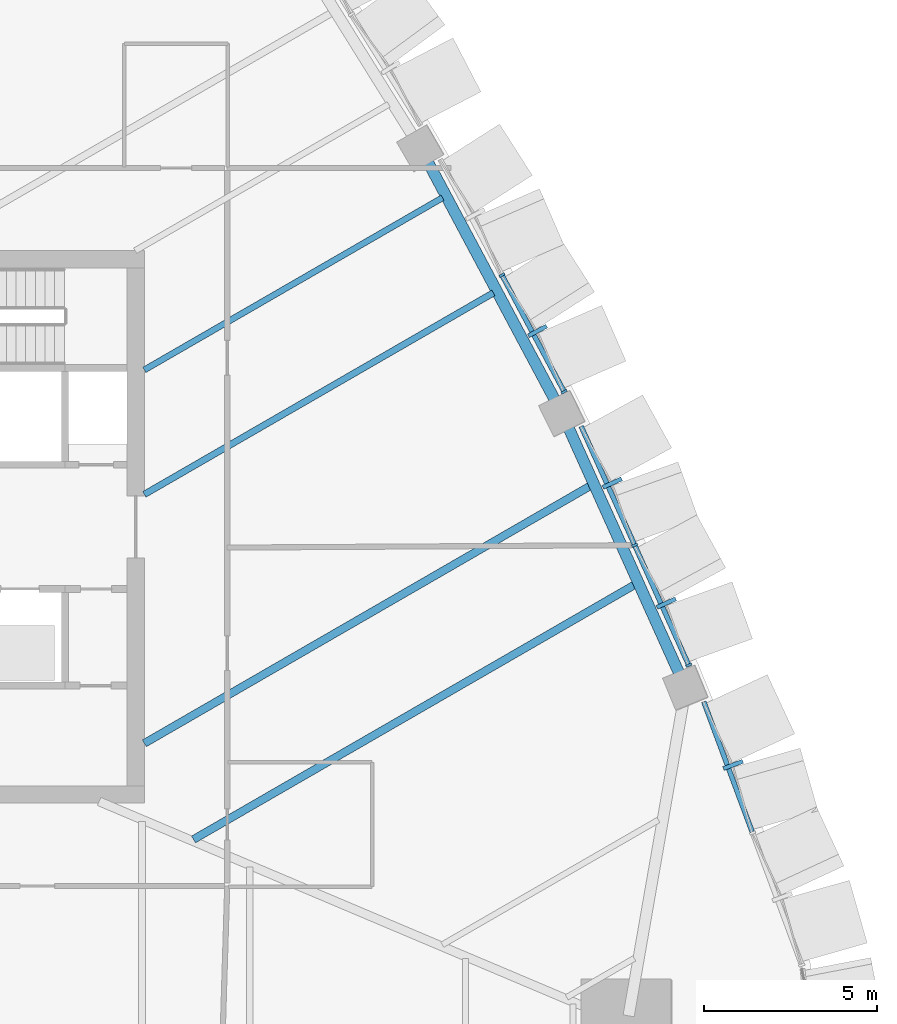
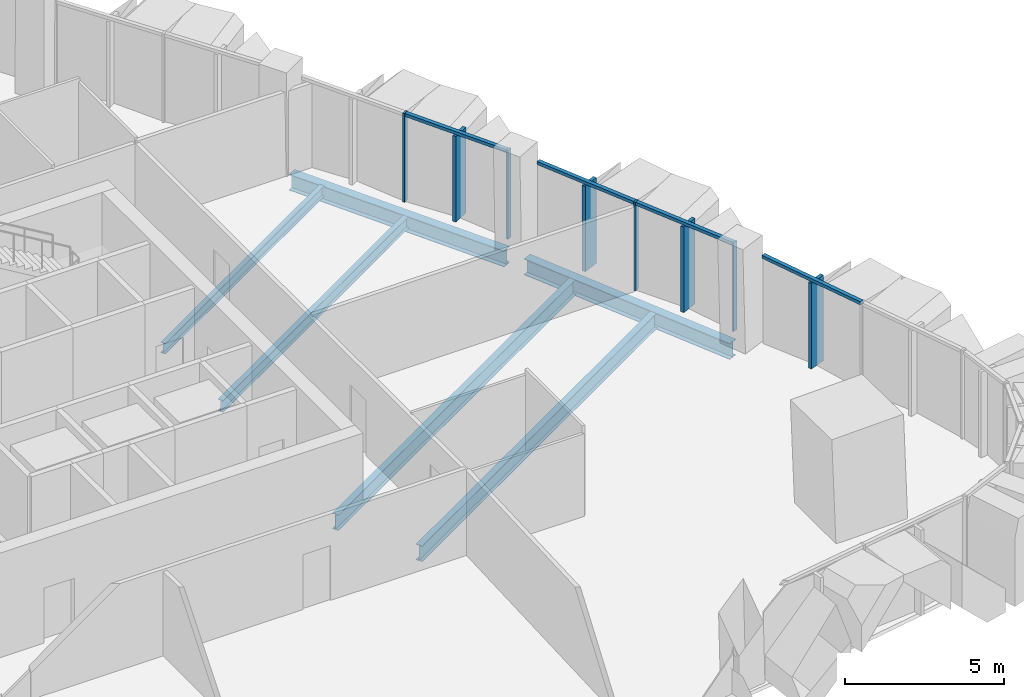
# One storey, part 5 of 18: 12 members, 6 beams, 3 elements without a shape of their own.
"""IFC4 building model written with IfcOpenShell, lengths in metres."""

from ifc_helpers import new_model, si_unit, direction, frame, origin, origin_2d, place, context, subcontext, project, spatial, rectangle, i_section, extrude, material, layer, layer_set, material_profile, profile_set, type_object, element, aggregate, save


model = new_model("IFC4")

# Units and contexts
model_context = context("Model", 3, precision=1e-05, world=origin(), true_north=direction((0.0, 1.0)))
body_context = subcontext(model_context, "Body", "Model", "MODEL_VIEW")
ifc_project = project(units=[si_unit("LENGTHUNIT", "METRE"), si_unit("AREAUNIT", "SQUARE_METRE"), si_unit("VOLUMEUNIT", "CUBIC_METRE"), si_unit("PLANEANGLEUNIT", "RADIAN"), si_unit("MASSUNIT", "GRAM", prefix="KILO")], contexts=[model_context])

# Site, building, storey
site_placement = place(None, origin())
site = spatial("IfcSite", under=ifc_project, at=site_placement, CompositionType="ELEMENT")
building_placement = place(site_placement, origin())
building = spatial("IfcBuilding", under=site, at=building_placement, Name="Sierra Prisma Convention Tower", CompositionType="ELEMENT")
storey_placement = place(building_placement, frame((0.0, 0.0, 129.800048828125)))
storey = spatial("IfcBuildingStorey", under=building, at=storey_placement, Name="L27", CompositionType="ELEMENT", Elevation=129.800048828125)

# Curtain wall, member
ifc_material_1 = material(Name="Aluminium and glass curtain wall", Category="aluminium")
ifc_layer = layer(ifc_material_1, 0.179931640625)
ifc_layer_set = layer_set([ifc_layer], Name="CW-2 Faceted crystal curtain wall")
curtain_wall_type = type_object("IfcCurtainWallType", Name="CW-2 Faceted crystal curtain wall", PredefinedType="NOTDEFINED", material=ifc_layer_set)
curtain_wall_1_placement = place(storey_placement, origin())
curtain_wall_1 = element("IfcCurtainWall", 1, at=curtain_wall_1_placement, inside=storey, type_object=curtain_wall_type, Name="CW-2 NE1 L27", PredefinedType="NOTDEFINED")
ifc_material_2 = material(Name="Aluminium 6063-T6 bronze anodised", Category="aluminium")
ifc_material_profile_1 = material_profile(ifc_material_2, rectangle(XDim=0.1201171875, YDim=0.60009765625, at=origin_2d()), Name="ALU RIDGE BLADE 120x600")
ifc_profile_set_1 = profile_set([ifc_material_profile_1], Name="Aluminium 6063-T6 bronze anodised")
member_type_1 = type_object("IfcMemberType", Name="CW hip bronze", PredefinedType="MULLION", material=ifc_profile_set_1)
member_1_placement = place(storey_placement, frame((28.05517578125, -6.895751953125, 0.0), z_axis=(0.0, 0.0, 1.0), x_axis=(-0.348828543352, 0.937186559519, 0.0)))
member_1 = element("IfcMember", 2, at=member_1_placement, type_object=member_type_1, Name="CW-2 ridge NE1.2", PredefinedType="MULLION", context=body_context, shape_type="SweptSolid", body=[
    extrude(rectangle(XDim=0.1201171875, YDim=0.60009765625, at=origin_2d()), origin(), (0.0, 0.0, 1.0), 3.280029296875),
])

# Curtain wall, members
curtain_wall_2_placement = place(storey_placement, origin())
curtain_wall_2 = element("IfcCurtainWall", 3, at=curtain_wall_2_placement, inside=storey, type_object=curtain_wall_type, Name="CW-2 NE2 L27", PredefinedType="NOTDEFINED")
member_2_placement = place(storey_placement, frame((26.12109375, -2.2080078125, 0.0), z_axis=(0.0, 0.0, 1.0), x_axis=(-0.410709435067, 0.911766285814, 0.0)))
member_2 = element("IfcMember", 4, at=member_2_placement, type_object=member_type_1, Name="CW-2 ridge NE2.1", PredefinedType="MULLION", context=body_context, shape_type="SweptSolid", body=[
    extrude(rectangle(XDim=0.1201171875, YDim=0.60009765625, at=origin_2d()), origin(), (0.0, 0.0, 1.0), 3.280029296875),
])
member_3_placement = place(storey_placement, frame((24.55517578125, 1.268310546875, 0.0), z_axis=(0.0, 0.0, 1.0), x_axis=(-0.410709435067, 0.911766285814, 0.0)))
member_3 = element("IfcMember", 5, at=member_3_placement, type_object=member_type_1, Name="CW-2 ridge NE2.2", PredefinedType="MULLION", context=body_context, shape_type="SweptSolid", body=[
    extrude(rectangle(XDim=0.1201171875, YDim=0.60009765625, at=origin_2d()), origin(), (0.0, 0.0, 1.0), 3.280029296875),
])

# Curtain wall, member
curtain_wall_3_placement = place(storey_placement, origin())
curtain_wall_3 = element("IfcCurtainWall", 6, at=curtain_wall_3_placement, inside=storey, type_object=curtain_wall_type, Name="CW-2 NE3 L27", PredefinedType="NOTDEFINED")
member_4_placement = place(storey_placement, frame((22.3896484375, 5.675537109375, 0.0), z_axis=(0.0, 0.0, 1.0), x_axis=(-0.47075222337, 0.882265461294, 0.0)))
member_4 = element("IfcMember", 7, at=member_4_placement, type_object=member_type_1, Name="CW-2 ridge NE3.1", PredefinedType="MULLION", context=body_context, shape_type="SweptSolid", body=[
    extrude(rectangle(XDim=0.1201171875, YDim=0.60009765625, at=origin_2d()), origin(), (0.0, 0.0, 1.0), 3.280029296875),
])

# Member
ifc_material_3 = material(Name="Aluminium 6063-T6 bronze anodised", Category="aluminium")
ifc_material_profile_2 = material_profile(ifc_material_3, rectangle(XDim=0.179931640625, YDim=0.070068359375, at=origin_2d()), Name="ALU MULLION 70x180")
ifc_profile_set_2 = profile_set([ifc_material_profile_2], Name="Aluminium 6063-T6 bronze anodised")
member_type_2 = type_object("IfcMemberType", Name="CW mullion bronze", PredefinedType="MULLION", material=ifc_profile_set_2)
member_5_placement = place(storey_placement, frame((26.769775390625, -4.0068359375, 0.0), z_axis=(0.0, 0.0, 1.0), x_axis=(-0.911766285814, -0.410709435067, 0.0)))
member_5 = element("IfcMember", 8, at=member_5_placement, type_object=member_type_2, Name="CW-1 mullion NE2.1", PredefinedType="MULLION", context=body_context, shape_type="SweptSolid", body=[
    extrude(rectangle(XDim=0.179931640625, YDim=0.070068359375, at=origin_2d()), origin(), (0.0, 0.0, 1.0), 3.39990234375),
])

member_6_placement = place(storey_placement, frame((25.203857421875, -0.530517578125, 0.0), z_axis=(0.0, 0.0, 1.0), x_axis=(-0.911766285814, -0.410709435067, 0.0)))
member_6 = element("IfcMember", 9, at=member_6_placement, type_object=member_type_2, Name="CW-1 mullion NE2.2", PredefinedType="MULLION", context=body_context, shape_type="SweptSolid", body=[
    extrude(rectangle(XDim=0.179931640625, YDim=0.070068359375, at=origin_2d()), origin(), (0.0, 0.0, 1.0), 3.39990234375),
])

member_7_placement = place(storey_placement, frame((23.160400390625, 3.916748046875, 0.0), z_axis=(0.0, 0.0, 1.0), x_axis=(-0.882265461294, -0.47075222337, 0.0)))
member_7 = element("IfcMember", 10, at=member_7_placement, type_object=member_type_2, Name="CW-1 mullion NE3.1", PredefinedType="MULLION", context=body_context, shape_type="SweptSolid", body=[
    extrude(rectangle(XDim=0.179931640625, YDim=0.070068359375, at=origin_2d()), origin(), (0.0, 0.0, 1.0), 3.39990234375),
])

member_8_placement = place(storey_placement, frame((21.35791015625, 7.294921875, 0.0), z_axis=(0.0, 0.0, 1.0), x_axis=(-0.882265461294, -0.47075222337, 0.0)))
member_8 = element("IfcMember", 11, at=member_8_placement, type_object=member_type_2, Name="CW-1 mullion NE3.2", PredefinedType="MULLION", context=body_context, shape_type="SweptSolid", body=[
    extrude(rectangle(XDim=0.179931640625, YDim=0.070068359375, at=origin_2d()), origin(), (0.0, 0.0, 1.0), 3.39990234375),
])

ifc_material_4 = material(Name="Aluminium 6063-T6 bronze anodised", Category="aluminium")
ifc_material_profile_3 = material_profile(ifc_material_4, rectangle(XDim=0.139892578125, YDim=0.1201171875, at=origin_2d()), Name="ALU TRANSOM 120x140")
ifc_profile_set_3 = profile_set([ifc_material_profile_3], Name="Aluminium 6063-T6 bronze anodised")
member_type_3 = type_object("IfcMemberType", Name="CW transom bronze", PredefinedType="USERDEFINED", material=ifc_profile_set_3)
member_9_placement = place(storey_placement, frame((28.607421875, -8.83251953125, 3.33984375), z_axis=(-0.348836803557, 0.937183484961, 0.0), x_axis=(-0.937183484961, -0.348836803557, 0.0)))
member_9 = element("IfcMember", 12, at=member_9_placement, type_object=member_type_3, Name="CW-1 transom NE1.2", ObjectType="TRANSOM", PredefinedType="USERDEFINED", context=body_context, shape_type="SweptSolid", body=[
    extrude(rectangle(XDim=0.139892578125, YDim=0.1201171875, at=origin_2d()), origin(), (0.0, 0.0, 1.0), 4.01513671875),
])

aggregate(curtain_wall_1, [member_9, member_1])

member_10_placement = place(storey_placement, frame((26.75537109375, -3.974853515625, 3.33984375), z_axis=(-0.410684696821, 0.91177742887, 0.0), x_axis=(-0.91177742887, -0.410684696821, 0.0)))
member_10 = element("IfcMember", 13, at=member_10_placement, type_object=member_type_3, Name="CW-1 transom NE2.1", ObjectType="TRANSOM", PredefinedType="USERDEFINED", context=body_context, shape_type="SweptSolid", body=[
    extrude(rectangle(XDim=0.139892578125, YDim=0.1201171875, at=origin_2d()), origin(), (0.0, 0.0, 1.0), 3.74267578125),
])

member_11_placement = place(storey_placement, frame((25.189453125, -0.49853515625, 3.33984375), z_axis=(-0.410684696821, 0.91177742887, 0.0), x_axis=(-0.91177742887, -0.410684696821, 0.0)))
member_11 = element("IfcMember", 14, at=member_11_placement, type_object=member_type_3, Name="CW-1 transom NE2.2", ObjectType="TRANSOM", PredefinedType="USERDEFINED", context=body_context, shape_type="SweptSolid", body=[
    extrude(rectangle(XDim=0.139892578125, YDim=0.1201171875, at=origin_2d()), origin(), (0.0, 0.0, 1.0), 3.74267578125),
])

aggregate(curtain_wall_2, [member_5, member_6, member_10, member_2, member_11, member_3])

member_12_placement = place(storey_placement, frame((23.14404296875, 3.94775390625, 3.33984375), z_axis=(-0.470750037931, 0.88226662738, 0.0), x_axis=(-0.88226662738, -0.470750037931, 0.0)))
member_12 = element("IfcMember", 15, at=member_12_placement, type_object=member_type_3, Name="CW-1 transom NE3.1", ObjectType="TRANSOM", PredefinedType="USERDEFINED", context=body_context, shape_type="SweptSolid", body=[
    extrude(rectangle(XDim=0.139892578125, YDim=0.1201171875, at=origin_2d()), origin(), (0.0, 0.0, 1.0), 3.759033203125),
])

aggregate(curtain_wall_3, [member_7, member_8, member_12, member_4])

# Beams
ifc_material_5 = material(Name="Steel ASTM A992 Gr 50", Category="steel")
ifc_material_profile_4 = material_profile(ifc_material_5, i_section(OverallWidth=0.177978515625, OverallDepth=0.406982421875, WebThickness=0.0078125, FlangeThickness=0.0126953125, at=origin_2d()), Name="W410x60")
ifc_profile_set_4 = profile_set([ifc_material_profile_4], Name="Steel ASTM A992 Gr 50")
beam_type_1 = type_object("IfcBeamType", Name="Floor joist W410x60", PredefinedType="JOIST", material=ifc_profile_set_4)
beam_1_placement = place(storey_placement, frame((19.638671875, 9.535400390625, -0.353515625), z_axis=(-0.866025000265, -0.500000698915, 0.0), x_axis=(0.500000698915, -0.866025000265, 0.0)))
element("IfcBeam", 16, at=beam_1_placement, inside=storey, type_object=beam_type_1, Name="Floor joist L27 NE08", PredefinedType="JOIST", context=body_context, shape_type="SweptSolid", body=[
    extrude(i_section(OverallWidth=0.177978515625, OverallDepth=0.406982421875, WebThickness=0.0078125, FlangeThickness=0.0126953125, at=origin_2d()), origin(), (0.0, 0.0, 1.0), 9.97509765625),
])
ifc_material_6 = material(Name="Steel ASTM A992 Gr 50", Category="steel")
ifc_material_profile_5 = material_profile(ifc_material_6, i_section(OverallWidth=0.18994140625, OverallDepth=0.45703125, WebThickness=0.009033203125, FlangeThickness=0.014404296875, at=origin_2d()), Name="W460x74")
ifc_profile_set_5 = profile_set([ifc_material_profile_5], Name="Steel ASTM A992 Gr 50")
beam_type_2 = type_object("IfcBeamType", Name="Floor joist W460x74", PredefinedType="JOIST", material=ifc_profile_set_5)
beam_2_placement = place(storey_placement, frame((21.109619140625, 6.778564453125, -0.378662109375), z_axis=(-0.866029907294, -0.499992199611, 0.0), x_axis=(0.499992199611, -0.866029907294, 0.0)))
element("IfcBeam", 17, at=beam_2_placement, inside=storey, type_object=beam_type_2, Name="Floor joist L27 NE07", PredefinedType="JOIST", context=body_context, shape_type="SweptSolid", body=[
    extrude(i_section(OverallWidth=0.18994140625, OverallDepth=0.45703125, WebThickness=0.009033203125, FlangeThickness=0.014404296875, at=origin_2d()), origin(), (0.0, 0.0, 1.0), 11.673583984375),
])
ifc_material_7 = material(Name="Steel ASTM A992 Gr 50", Category="steel")
ifc_material_profile_6 = material_profile(ifc_material_7, i_section(OverallWidth=0.22802734375, OverallDepth=0.60302734375, WebThickness=0.010498046875, FlangeThickness=0.014892578125, at=origin_2d()), Name="W610x101")
ifc_profile_set_6 = profile_set([ifc_material_profile_6], Name="Steel ASTM A992 Gr 50")
beam_type_3 = type_object("IfcBeamType", Name="Floor joist W610x101", PredefinedType="JOIST", material=ifc_profile_set_6)
beam_3_placement = place(storey_placement, frame((25.210693359375, -1.671630859375, -0.45166015625), z_axis=(-0.866021483234, -0.500006790532, 0.0), x_axis=(0.500006790532, -0.866021483234, 0.0)))
element("IfcBeam", 18, at=beam_3_placement, inside=storey, type_object=beam_type_3, Name="Floor joist L27 NE04", PredefinedType="JOIST", context=body_context, shape_type="SweptSolid", body=[
    extrude(i_section(OverallWidth=0.22802734375, OverallDepth=0.60302734375, WebThickness=0.010498046875, FlangeThickness=0.014892578125, at=origin_2d()), origin(), (0.0, 0.0, 1.0), 14.765869140625),
])
beam_4_placement = place(storey_placement, frame((23.921630859375, 1.190185546875, -0.45166015625), z_axis=(-0.866021278026, -0.500007145954, 0.0), x_axis=(0.500007145954, -0.866021278026, 0.0)))
element("IfcBeam", 19, at=beam_4_placement, inside=storey, type_object=beam_type_3, Name="Floor joist L27 NE05", PredefinedType="JOIST", context=body_context, shape_type="SweptSolid", body=[
    extrude(i_section(OverallWidth=0.22802734375, OverallDepth=0.60302734375, WebThickness=0.010498046875, FlangeThickness=0.014892578125, at=origin_2d()), origin(), (0.0, 0.0, 1.0), 14.920654296875),
])
ifc_material_8 = material(Name="Steel ASTM A992 Gr 50", Category="steel")
ifc_material_profile_7 = material_profile(ifc_material_8, i_section(OverallWidth=0.324951171875, OverallDepth=0.615966796875, WebThickness=0.013916015625, FlangeThickness=0.021484375, at=origin_2d()), Name="W610x174")
ifc_profile_set_7 = profile_set([ifc_material_profile_7], Name="Steel ASTM A992 Gr 50")
beam_type_4 = type_object("IfcBeamType", Name="Spandrel beam W610x174", PredefinedType="BEAM", material=ifc_profile_set_7)
for number, where, z_axis, x_axis, name in (
    (20, (26.528076171875, -4.321533203125, -0.4580078125), (-0.410725726367, 0.911758947146, 0.0), (-0.911758947146, -0.410725726367, 0.0), "Spandrel L27-08"),
    (21, (22.925048828125, 3.614990234375, -0.4580078125), (-0.47074590229, 0.882268834017, 0.0), (-0.882268834017, -0.47074590229, 0.0), "Spandrel L27-09"),
):
    element("IfcBeam", number, at=place(storey_placement, frame(where, z_axis=z_axis, x_axis=x_axis)), inside=storey, type_object=beam_type_4, Name=name, PredefinedType="BEAM", context=body_context, shape_type="SweptSolid", body=[
        extrude(i_section(OverallWidth=0.324951171875, OverallDepth=0.615966796875, WebThickness=0.013916015625, FlangeThickness=0.021484375, at=origin_2d()), origin(), (0.0, 0.0, 1.0), 7.956298828125),
    ])

save(model, "model.ifc")
